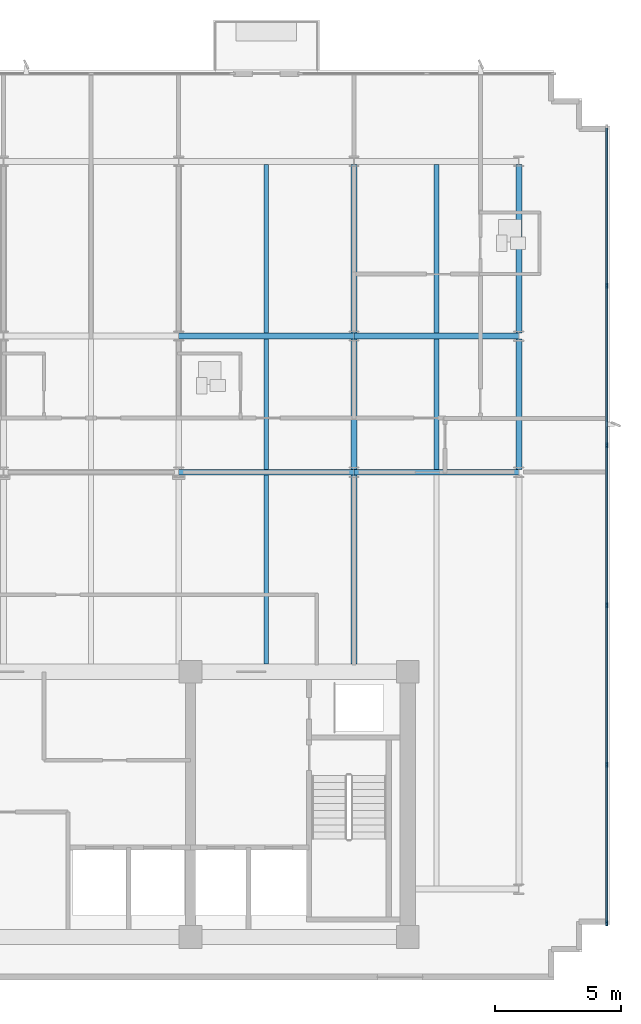
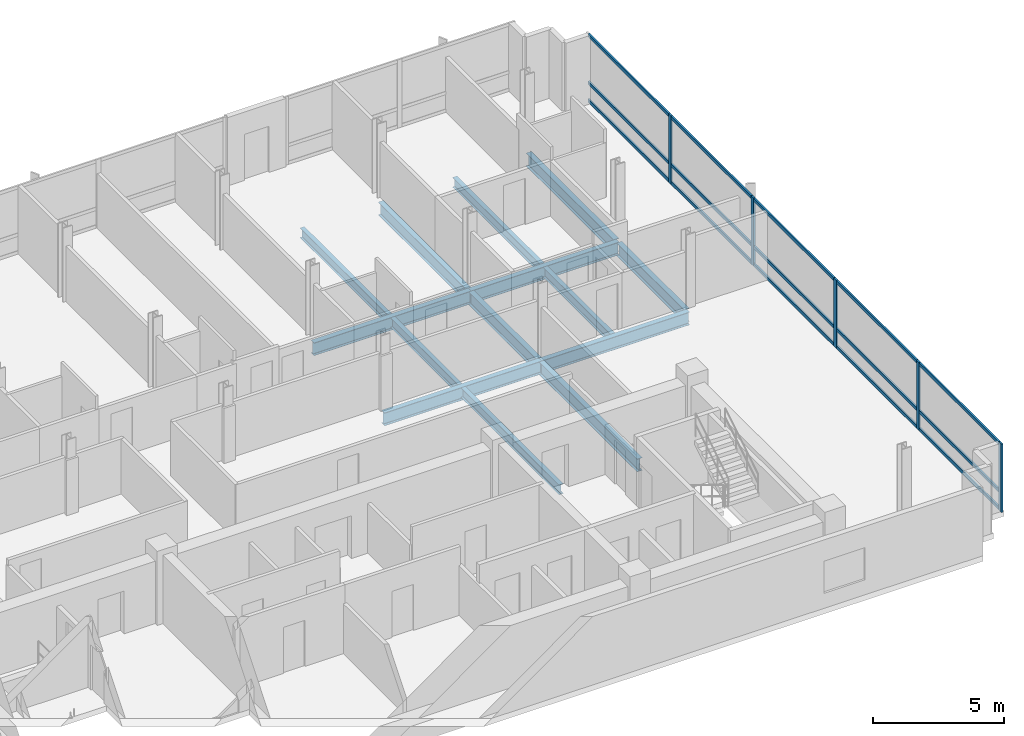
# One storey, part 4 of 14: 20 members, 14 beams, 1 element without a shape of its own.
"""IFC4 building model written with IfcOpenShell, lengths in metres."""

from ifc_helpers import new_model, si_unit, direction, frame, origin, origin_2d, place, context, subcontext, project, spatial, rectangle, i_section, extrude, material, material_profile, profile_set, type_object, element, aggregate, save


model = new_model("IFC4")

# Units and contexts
model_context = context("Model", 3, precision=1e-05, world=origin(), true_north=direction((0.0, 1.0)))
body_context = subcontext(model_context, "Body", "Model", "MODEL_VIEW")
ifc_project = project(units=[si_unit("LENGTHUNIT", "METRE"), si_unit("AREAUNIT", "SQUARE_METRE"), si_unit("VOLUMEUNIT", "CUBIC_METRE"), si_unit("PLANEANGLEUNIT", "RADIAN"), si_unit("MASSUNIT", "GRAM", prefix="KILO")], contexts=[model_context])

# Site, building, storey
site_placement = place(None, origin())
site = spatial("IfcSite", under=ifc_project, at=site_placement, CompositionType="ELEMENT")
building_placement = place(site_placement, origin())
building = spatial("IfcBuilding", under=site, at=building_placement, Name="Solmavex Isthmus Hotel", CompositionType="ELEMENT")
storey_placement = place(building_placement, frame((0.0, 0.0, 248.85009765625)))
storey = spatial("IfcBuildingStorey", under=building, at=storey_placement, Name="L67", CompositionType="ELEMENT", Elevation=248.85009765625)

# Beams
ifc_material_1 = material(Name="Steel ASTM A992 Grade 50", Category="steel")
ifc_material_profile_1 = material_profile(ifc_material_1, i_section(OverallWidth=0.1904296875, OverallDepth=0.456787109375, WebThickness=0.009033203125, FlangeThickness=0.014404296875, FilletRadius=0.0126953125, at=origin_2d()), Name="W18X50")
ifc_profile_set_1 = profile_set([ifc_material_profile_1], Name="Steel ASTM A992 Grade 50")
beam_type_1 = type_object("IfcBeamType", Name="BM-BJ-W18X50", PredefinedType="JOIST", material=ifc_profile_set_1)
beam_1_placement = place(storey_placement, frame((10.404052734375, -2.199951171875, -0.488525390625), z_axis=(0.0, 1.0, 0.0), x_axis=(-1.0, 0.0, 0.0)))
element("IfcBeam", 1, at=beam_1_placement, inside=storey, type_object=beam_type_1, Name="Secondary Floor Joist L67-J13", PredefinedType="JOIST", context=body_context, shape_type="SweptSolid", body=[
    extrude(i_section(OverallWidth=0.1904296875, OverallDepth=0.456787109375, WebThickness=0.009033203125, FlangeThickness=0.014404296875, FilletRadius=0.0126953125, at=origin_2d()), origin(), (0.0, 0.0, 1.0), 7.486083984375),
])
beam_2_placement = place(storey_placement, frame((10.404052734375, 5.513916015625, -0.488525390625), z_axis=(0.0, 1.0, 0.0), x_axis=(-1.0, 0.0, 0.0)))
element("IfcBeam", 2, at=beam_2_placement, inside=storey, type_object=beam_type_1, Name="Secondary Floor Joist L67-J14", PredefinedType="JOIST", context=body_context, shape_type="SweptSolid", body=[
    extrude(i_section(OverallWidth=0.1904296875, OverallDepth=0.456787109375, WebThickness=0.009033203125, FlangeThickness=0.014404296875, FilletRadius=0.0126953125, at=origin_2d()), origin(), (0.0, 0.0, 1.0), 5.16015625),
])
beam_3_placement = place(storey_placement, frame((10.404052734375, 10.90185546875, -0.488525390625), z_axis=(0.0, 1.0, 0.0), x_axis=(-1.0, 0.0, 0.0)))
element("IfcBeam", 3, at=beam_3_placement, inside=storey, type_object=beam_type_1, Name="Secondary Floor Joist L67-J15", PredefinedType="JOIST", context=body_context, shape_type="SweptSolid", body=[
    extrude(i_section(OverallWidth=0.1904296875, OverallDepth=0.456787109375, WebThickness=0.009033203125, FlangeThickness=0.014404296875, FilletRadius=0.0126953125, at=origin_2d()), origin(), (0.0, 0.0, 1.0), 6.682861328125),
])
beam_4_placement = place(storey_placement, frame((17.135986328125, 5.513916015625, -0.488525390625), z_axis=(0.0, 1.0, 0.0), x_axis=(-1.0, 0.0, 0.0)))
element("IfcBeam", 4, at=beam_4_placement, inside=storey, type_object=beam_type_1, Name="Secondary Floor Joist L67-J17", PredefinedType="JOIST", context=body_context, shape_type="SweptSolid", body=[
    extrude(i_section(OverallWidth=0.1904296875, OverallDepth=0.456787109375, WebThickness=0.009033203125, FlangeThickness=0.014404296875, FilletRadius=0.0126953125, at=origin_2d()), origin(), (0.0, 0.0, 1.0), 5.16015625),
])
beam_5_placement = place(storey_placement, frame((17.135986328125, 10.90185546875, -0.488525390625), z_axis=(0.0, 1.0, 0.0), x_axis=(-1.0, 0.0, 0.0)))
element("IfcBeam", 5, at=beam_5_placement, inside=storey, type_object=beam_type_1, Name="Secondary Floor Joist L67-J18", PredefinedType="JOIST", context=body_context, shape_type="SweptSolid", body=[
    extrude(i_section(OverallWidth=0.1904296875, OverallDepth=0.456787109375, WebThickness=0.009033203125, FlangeThickness=0.014404296875, FilletRadius=0.0126953125, at=origin_2d()), origin(), (0.0, 0.0, 1.0), 6.682861328125),
])
ifc_material_profile_2 = material_profile(ifc_material_1, i_section(OverallWidth=0.227783203125, OverallDepth=0.602783203125, WebThickness=0.010498046875, FlangeThickness=0.014892578125, FilletRadius=0.01513671875, at=origin_2d()), Name="W24X68")
ifc_profile_set_2 = profile_set([ifc_material_profile_2], Name="Steel ASTM A992 Grade 50")
beam_type_2 = type_object("IfcBeamType", Name="BM-BM-W24X68", PredefinedType="BEAM", material=ifc_profile_set_2)
beam_6_placement = place(storey_placement, frame((6.93603515625, 5.39990234375, -0.5615234375), z_axis=(1.0, 0.0, 0.0), x_axis=(0.0, 1.0, 0.0)))
element("IfcBeam", 6, at=beam_6_placement, inside=storey, type_object=beam_type_2, Name="Floor Girder L67-UG07", PredefinedType="BEAM", context=body_context, shape_type="SweptSolid", body=[
    extrude(i_section(OverallWidth=0.227783203125, OverallDepth=0.602783203125, WebThickness=0.010498046875, FlangeThickness=0.014892578125, FilletRadius=0.01513671875, at=origin_2d()), origin(), (0.0, 0.0, 1.0), 6.93603515625),
])
beam_7_placement = place(storey_placement, frame((13.8720703125, 5.39990234375, -0.5615234375), z_axis=(1.0, 0.0, 0.0), x_axis=(0.0, 1.0, 0.0)))
element("IfcBeam", 7, at=beam_7_placement, inside=storey, type_object=beam_type_2, Name="Floor Girder L67-UG08", PredefinedType="BEAM", context=body_context, shape_type="SweptSolid", body=[
    extrude(i_section(OverallWidth=0.227783203125, OverallDepth=0.602783203125, WebThickness=0.010498046875, FlangeThickness=0.014892578125, FilletRadius=0.01513671875, at=origin_2d()), origin(), (0.0, 0.0, 1.0), 6.52783203125),
])
beam_8_placement = place(storey_placement, frame((6.93603515625, 10.7880859375, -0.5615234375), z_axis=(1.0, 0.0, 0.0), x_axis=(0.0, 1.0, 0.0)))
element("IfcBeam", 8, at=beam_8_placement, inside=storey, type_object=beam_type_2, Name="Floor Girder L67-UG13", PredefinedType="BEAM", context=body_context, shape_type="SweptSolid", body=[
    extrude(i_section(OverallWidth=0.227783203125, OverallDepth=0.602783203125, WebThickness=0.010498046875, FlangeThickness=0.014892578125, FilletRadius=0.01513671875, at=origin_2d()), origin(), (0.0, 0.0, 1.0), 6.93603515625),
])
beam_9_placement = place(storey_placement, frame((13.8720703125, 10.7880859375, -0.5615234375), z_axis=(1.0, 0.0, 0.0), x_axis=(0.0, 1.0, 0.0)))
element("IfcBeam", 9, at=beam_9_placement, inside=storey, type_object=beam_type_2, Name="Floor Girder L67-UG14", PredefinedType="BEAM", context=body_context, shape_type="SweptSolid", body=[
    extrude(i_section(OverallWidth=0.227783203125, OverallDepth=0.602783203125, WebThickness=0.010498046875, FlangeThickness=0.014892578125, FilletRadius=0.01513671875, at=origin_2d()), origin(), (0.0, 0.0, 1.0), 6.52783203125),
])
beam_10_placement = place(storey_placement, frame((13.8720703125, -2.199951171875, -0.5615234375), z_axis=(0.0, 1.0, 0.0), x_axis=(-1.0, 0.0, 0.0)))
element("IfcBeam", 10, at=beam_10_placement, inside=storey, type_object=beam_type_2, Name="Floor Beam L67-VG36", PredefinedType="BEAM", context=body_context, shape_type="SweptSolid", body=[
    extrude(i_section(OverallWidth=0.227783203125, OverallDepth=0.602783203125, WebThickness=0.010498046875, FlangeThickness=0.014892578125, FilletRadius=0.01513671875, at=origin_2d()), origin(), (0.0, 0.0, 1.0), 7.486083984375),
])
beam_11_placement = place(storey_placement, frame((13.8720703125, 5.513916015625, -0.5615234375), z_axis=(0.0, 1.0, 0.0), x_axis=(-1.0, 0.0, 0.0)))
element("IfcBeam", 11, at=beam_11_placement, inside=storey, type_object=beam_type_2, Name="Floor Beam L67-VG37", PredefinedType="BEAM", context=body_context, shape_type="SweptSolid", body=[
    extrude(i_section(OverallWidth=0.227783203125, OverallDepth=0.602783203125, WebThickness=0.010498046875, FlangeThickness=0.014892578125, FilletRadius=0.01513671875, at=origin_2d()), origin(), (0.0, 0.0, 1.0), 5.16015625),
])
beam_12_placement = place(storey_placement, frame((13.8720703125, 10.90185546875, -0.5615234375), z_axis=(0.0, 1.0, 0.0), x_axis=(-1.0, 0.0, 0.0)))
element("IfcBeam", 12, at=beam_12_placement, inside=storey, type_object=beam_type_2, Name="Floor Beam L67-VG38", PredefinedType="BEAM", context=body_context, shape_type="SweptSolid", body=[
    extrude(i_section(OverallWidth=0.227783203125, OverallDepth=0.602783203125, WebThickness=0.010498046875, FlangeThickness=0.014892578125, FilletRadius=0.01513671875, at=origin_2d()), origin(), (0.0, 0.0, 1.0), 6.682861328125),
])
ifc_material_profile_3 = material_profile(ifc_material_1, i_section(OverallWidth=0.230224609375, OverallDepth=0.617431640625, WebThickness=0.01318359375, FlangeThickness=0.022216796875, FilletRadius=0.01513671875, at=origin_2d()), Name="W24X94")
ifc_profile_set_3 = profile_set([ifc_material_profile_3], Name="Steel ASTM A992 Grade 50")
beam_type_3 = type_object("IfcBeamType", Name="BM-SP-W24X94", PredefinedType="SPANDREL", material=ifc_profile_set_3)
beam_13_placement = place(storey_placement, frame((20.39990234375, 5.513916015625, -0.56884765625), z_axis=(0.0, 1.0, 0.0), x_axis=(-1.0, 0.0, 0.0)))
element("IfcBeam", 13, at=beam_13_placement, inside=storey, type_object=beam_type_3, Name="Floor Beam L67-VG40", PredefinedType="SPANDREL", context=body_context, shape_type="SweptSolid", body=[
    extrude(i_section(OverallWidth=0.230224609375, OverallDepth=0.617431640625, WebThickness=0.01318359375, FlangeThickness=0.022216796875, FilletRadius=0.01513671875, at=origin_2d()), origin(), (0.0, 0.0, 1.0), 5.16015625),
])
beam_14_placement = place(storey_placement, frame((20.39990234375, 10.90185546875, -0.56884765625), z_axis=(0.0, 1.0, 0.0), x_axis=(-1.0, 0.0, 0.0)))
element("IfcBeam", 14, at=beam_14_placement, inside=storey, type_object=beam_type_3, Name="Floor Beam L67-VG41", PredefinedType="SPANDREL", context=body_context, shape_type="SweptSolid", body=[
    extrude(i_section(OverallWidth=0.230224609375, OverallDepth=0.617431640625, WebThickness=0.01318359375, FlangeThickness=0.022216796875, FilletRadius=0.01513671875, at=origin_2d()), origin(), (0.0, 0.0, 1.0), 6.682861328125),
])

# Curtain wall, members
ifc_material_2 = material(Name="Aluminium alloy 6063-T6", Category="aluminium")
curtain_wall_type = type_object("IfcCurtainWallType", Name="CW-SYS-04", PredefinedType="NOTDEFINED", material=ifc_material_2)
curtain_wall_placement = place(storey_placement, origin())
curtain_wall = element("IfcCurtainWall", 15, at=curtain_wall_placement, inside=storey, type_object=curtain_wall_type, Name="Stick Curtain Wall CWL-L67-E1", PredefinedType="NOTDEFINED")
ifc_material_profile_4 = material_profile(ifc_material_2, rectangle(XDim=0.074951171875, YDim=0.199951171875, at=origin_2d()), Name="CWM-75X200")
ifc_profile_set_4 = profile_set([ifc_material_profile_4], Name="Aluminium alloy 6063-T6")
member_type_1 = type_object("IfcMemberType", Name="CW-SYS-04-MUL", PredefinedType="MULLION", material=ifc_profile_set_4)
member_1_placement = place(storey_placement, frame((23.8798828125, -12.46240234375, 0.0), z_axis=(0.0, 0.0, 1.0), x_axis=(-1.0, 0.0, 0.0)))
member_1 = element("IfcMember", 16, at=member_1_placement, type_object=member_type_1, Name="CW-04 mullion 1", PredefinedType="MULLION", context=body_context, shape_type="SweptSolid", body=[
    extrude(rectangle(XDim=0.074951171875, YDim=0.199951171875, at=origin_2d()), origin(), (0.0, 0.0, 1.0), 3.18994140625),
])
member_2_placement = place(storey_placement, frame((23.8798828125, -6.179931640625, 0.0), z_axis=(0.0, 0.0, 1.0), x_axis=(-1.0, 0.0, 0.0)))
member_2 = element("IfcMember", 17, at=member_2_placement, type_object=member_type_1, Name="CW-04 mullion 2", PredefinedType="MULLION", context=body_context, shape_type="SweptSolid", body=[
    extrude(rectangle(XDim=0.074951171875, YDim=0.199951171875, at=origin_2d()), origin(), (0.0, 0.0, 1.0), 3.18994140625),
])
member_3_placement = place(storey_placement, frame((23.8798828125, 0.139892578125, 0.0), z_axis=(0.0, 0.0, 1.0), x_axis=(-1.0, 0.0, 0.0)))
member_3 = element("IfcMember", 18, at=member_3_placement, type_object=member_type_1, Name="CW-04 mullion 3", PredefinedType="MULLION", context=body_context, shape_type="SweptSolid", body=[
    extrude(rectangle(XDim=0.074951171875, YDim=0.199951171875, at=origin_2d()), origin(), (0.0, 0.0, 1.0), 3.18994140625),
])
member_4_placement = place(storey_placement, frame((23.8798828125, 6.4599609375, 0.0), z_axis=(0.0, 0.0, 1.0), x_axis=(-1.0, 0.0, 0.0)))
member_4 = element("IfcMember", 19, at=member_4_placement, type_object=member_type_1, Name="CW-04 mullion 4", PredefinedType="MULLION", context=body_context, shape_type="SweptSolid", body=[
    extrude(rectangle(XDim=0.074951171875, YDim=0.199951171875, at=origin_2d()), origin(), (0.0, 0.0, 1.0), 3.18994140625),
])
member_5_placement = place(storey_placement, frame((23.8798828125, 12.780029296875, 0.0), z_axis=(0.0, 0.0, 1.0), x_axis=(-1.0, 0.0, 0.0)))
member_5 = element("IfcMember", 20, at=member_5_placement, type_object=member_type_1, Name="CW-04 mullion 5", PredefinedType="MULLION", context=body_context, shape_type="SweptSolid", body=[
    extrude(rectangle(XDim=0.074951171875, YDim=0.199951171875, at=origin_2d()), origin(), (0.0, 0.0, 1.0), 3.18994140625),
])
ifc_material_profile_5 = material_profile(ifc_material_2, rectangle(XDim=0.074951171875, YDim=0.14990234375, at=origin_2d()), Name="CWT-75X150")
ifc_profile_set_5 = profile_set([ifc_material_profile_5], Name="Aluminium alloy 6063-T6")
member_type_2 = type_object("IfcMemberType", Name="CW-SYS-04-TRN", PredefinedType="USERDEFINED", material=ifc_profile_set_5)
member_6_placement = place(storey_placement, frame((23.8798828125, -12.425048828125, 0.074951171875), z_axis=(0.0, 1.0, 0.0), x_axis=(-1.0, 0.0, 0.0)))
member_6 = element("IfcMember", 21, at=member_6_placement, type_object=member_type_2, Name="CW-04 transom 1.1", ObjectType="TRANSOM", PredefinedType="USERDEFINED", context=body_context, shape_type="SweptSolid", body=[
    extrude(rectangle(XDim=0.074951171875, YDim=0.14990234375, at=origin_2d()), origin(), (0.0, 0.0, 1.0), 6.20751953125),
])
member_7_placement = place(storey_placement, frame((23.8798828125, -12.425048828125, 0.89990234375), z_axis=(0.0, 1.0, 0.0), x_axis=(-1.0, 0.0, 0.0)))
member_7 = element("IfcMember", 22, at=member_7_placement, type_object=member_type_2, Name="CW-04 transom 1.2", ObjectType="TRANSOM", PredefinedType="USERDEFINED", context=body_context, shape_type="SweptSolid", body=[
    extrude(rectangle(XDim=0.074951171875, YDim=0.14990234375, at=origin_2d()), origin(), (0.0, 0.0, 1.0), 6.20751953125),
])
member_8_placement = place(storey_placement, frame((23.8798828125, -12.425048828125, 3.114990234375), z_axis=(0.0, 1.0, 0.0), x_axis=(-1.0, 0.0, 0.0)))
member_8 = element("IfcMember", 23, at=member_8_placement, type_object=member_type_2, Name="CW-04 transom 1.3", ObjectType="TRANSOM", PredefinedType="USERDEFINED", context=body_context, shape_type="SweptSolid", body=[
    extrude(rectangle(XDim=0.074951171875, YDim=0.14990234375, at=origin_2d()), origin(), (0.0, 0.0, 1.0), 6.20751953125),
])
member_9_placement = place(storey_placement, frame((23.8798828125, -6.142578125, 0.074951171875), z_axis=(0.0, 1.0, 0.0), x_axis=(-1.0, 0.0, 0.0)))
member_9 = element("IfcMember", 24, at=member_9_placement, type_object=member_type_2, Name="CW-04 transom 2.1", ObjectType="TRANSOM", PredefinedType="USERDEFINED", context=body_context, shape_type="SweptSolid", body=[
    extrude(rectangle(XDim=0.074951171875, YDim=0.14990234375, at=origin_2d()), origin(), (0.0, 0.0, 1.0), 6.2451171875),
])
member_10_placement = place(storey_placement, frame((23.8798828125, -6.142578125, 0.89990234375), z_axis=(0.0, 1.0, 0.0), x_axis=(-1.0, 0.0, 0.0)))
member_10 = element("IfcMember", 25, at=member_10_placement, type_object=member_type_2, Name="CW-04 transom 2.2", ObjectType="TRANSOM", PredefinedType="USERDEFINED", context=body_context, shape_type="SweptSolid", body=[
    extrude(rectangle(XDim=0.074951171875, YDim=0.14990234375, at=origin_2d()), origin(), (0.0, 0.0, 1.0), 6.2451171875),
])
member_11_placement = place(storey_placement, frame((23.8798828125, -6.142578125, 3.114990234375), z_axis=(0.0, 1.0, 0.0), x_axis=(-1.0, 0.0, 0.0)))
member_11 = element("IfcMember", 26, at=member_11_placement, type_object=member_type_2, Name="CW-04 transom 2.3", ObjectType="TRANSOM", PredefinedType="USERDEFINED", context=body_context, shape_type="SweptSolid", body=[
    extrude(rectangle(XDim=0.074951171875, YDim=0.14990234375, at=origin_2d()), origin(), (0.0, 0.0, 1.0), 6.2451171875),
])
member_12_placement = place(storey_placement, frame((23.8798828125, 0.177490234375, 0.074951171875), z_axis=(0.0, 1.0, 0.0), x_axis=(-1.0, 0.0, 0.0)))
member_12 = element("IfcMember", 27, at=member_12_placement, type_object=member_type_2, Name="CW-04 transom 3.1", ObjectType="TRANSOM", PredefinedType="USERDEFINED", context=body_context, shape_type="SweptSolid", body=[
    extrude(rectangle(XDim=0.074951171875, YDim=0.14990234375, at=origin_2d()), origin(), (0.0, 0.0, 1.0), 6.2451171875),
])
member_13_placement = place(storey_placement, frame((23.8798828125, 0.177490234375, 0.89990234375), z_axis=(0.0, 1.0, 0.0), x_axis=(-1.0, 0.0, 0.0)))
member_13 = element("IfcMember", 28, at=member_13_placement, type_object=member_type_2, Name="CW-04 transom 3.2", ObjectType="TRANSOM", PredefinedType="USERDEFINED", context=body_context, shape_type="SweptSolid", body=[
    extrude(rectangle(XDim=0.074951171875, YDim=0.14990234375, at=origin_2d()), origin(), (0.0, 0.0, 1.0), 6.2451171875),
])
member_14_placement = place(storey_placement, frame((23.8798828125, 0.177490234375, 3.114990234375), z_axis=(0.0, 1.0, 0.0), x_axis=(-1.0, 0.0, 0.0)))
member_14 = element("IfcMember", 29, at=member_14_placement, type_object=member_type_2, Name="CW-04 transom 3.3", ObjectType="TRANSOM", PredefinedType="USERDEFINED", context=body_context, shape_type="SweptSolid", body=[
    extrude(rectangle(XDim=0.074951171875, YDim=0.14990234375, at=origin_2d()), origin(), (0.0, 0.0, 1.0), 6.2451171875),
])
member_15_placement = place(storey_placement, frame((23.8798828125, 6.49755859375, 0.074951171875), z_axis=(0.0, 1.0, 0.0), x_axis=(-1.0, 0.0, 0.0)))
member_15 = element("IfcMember", 30, at=member_15_placement, type_object=member_type_2, Name="CW-04 transom 4.1", ObjectType="TRANSOM", PredefinedType="USERDEFINED", context=body_context, shape_type="SweptSolid", body=[
    extrude(rectangle(XDim=0.074951171875, YDim=0.14990234375, at=origin_2d()), origin(), (0.0, 0.0, 1.0), 6.244873046875),
])
member_16_placement = place(storey_placement, frame((23.8798828125, 6.49755859375, 0.89990234375), z_axis=(0.0, 1.0, 0.0), x_axis=(-1.0, 0.0, 0.0)))
member_16 = element("IfcMember", 31, at=member_16_placement, type_object=member_type_2, Name="CW-04 transom 4.2", ObjectType="TRANSOM", PredefinedType="USERDEFINED", context=body_context, shape_type="SweptSolid", body=[
    extrude(rectangle(XDim=0.074951171875, YDim=0.14990234375, at=origin_2d()), origin(), (0.0, 0.0, 1.0), 6.244873046875),
])
member_17_placement = place(storey_placement, frame((23.8798828125, 6.49755859375, 3.114990234375), z_axis=(0.0, 1.0, 0.0), x_axis=(-1.0, 0.0, 0.0)))
member_17 = element("IfcMember", 32, at=member_17_placement, type_object=member_type_2, Name="CW-04 transom 4.3", ObjectType="TRANSOM", PredefinedType="USERDEFINED", context=body_context, shape_type="SweptSolid", body=[
    extrude(rectangle(XDim=0.074951171875, YDim=0.14990234375, at=origin_2d()), origin(), (0.0, 0.0, 1.0), 6.244873046875),
])
member_18_placement = place(storey_placement, frame((23.8798828125, 12.8173828125, 0.074951171875), z_axis=(0.0, 1.0, 0.0), x_axis=(-1.0, 0.0, 0.0)))
member_18 = element("IfcMember", 33, at=member_18_placement, type_object=member_type_2, Name="CW-04 transom 5.1", ObjectType="TRANSOM", PredefinedType="USERDEFINED", context=body_context, shape_type="SweptSolid", body=[
    extrude(rectangle(XDim=0.074951171875, YDim=0.14990234375, at=origin_2d()), origin(), (0.0, 0.0, 1.0), 6.20751953125),
])
member_19_placement = place(storey_placement, frame((23.8798828125, 12.8173828125, 0.89990234375), z_axis=(0.0, 1.0, 0.0), x_axis=(-1.0, 0.0, 0.0)))
member_19 = element("IfcMember", 34, at=member_19_placement, type_object=member_type_2, Name="CW-04 transom 5.2", ObjectType="TRANSOM", PredefinedType="USERDEFINED", context=body_context, shape_type="SweptSolid", body=[
    extrude(rectangle(XDim=0.074951171875, YDim=0.14990234375, at=origin_2d()), origin(), (0.0, 0.0, 1.0), 6.20751953125),
])
member_20_placement = place(storey_placement, frame((23.8798828125, 12.8173828125, 3.114990234375), z_axis=(0.0, 1.0, 0.0), x_axis=(-1.0, 0.0, 0.0)))
member_20 = element("IfcMember", 35, at=member_20_placement, type_object=member_type_2, Name="CW-04 transom 5.3", ObjectType="TRANSOM", PredefinedType="USERDEFINED", context=body_context, shape_type="SweptSolid", body=[
    extrude(rectangle(XDim=0.074951171875, YDim=0.14990234375, at=origin_2d()), origin(), (0.0, 0.0, 1.0), 6.20751953125),
])
aggregate(curtain_wall, [member_1, member_2, member_3, member_4, member_5, member_6, member_7, member_8, member_9, member_10, member_11, member_12, member_13, member_14, member_15, member_16, member_17, member_18, member_19, member_20])

save(model, "model.ifc")
